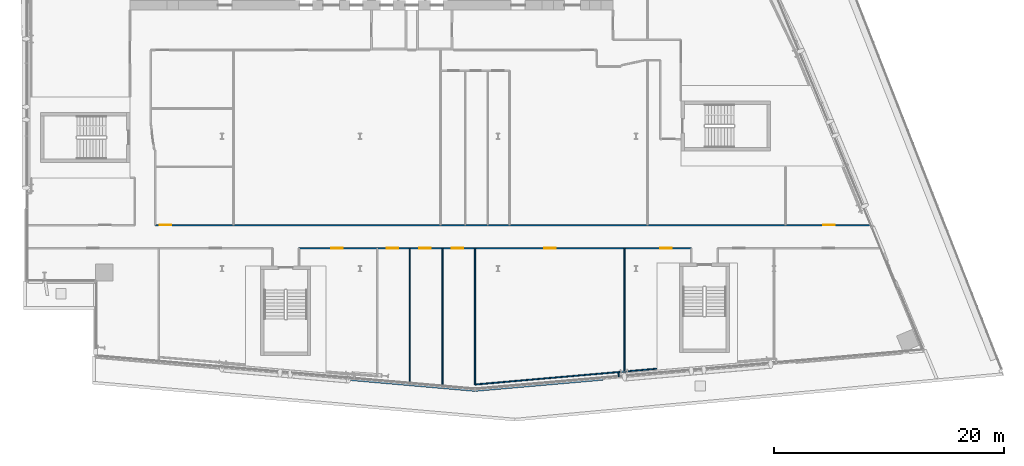
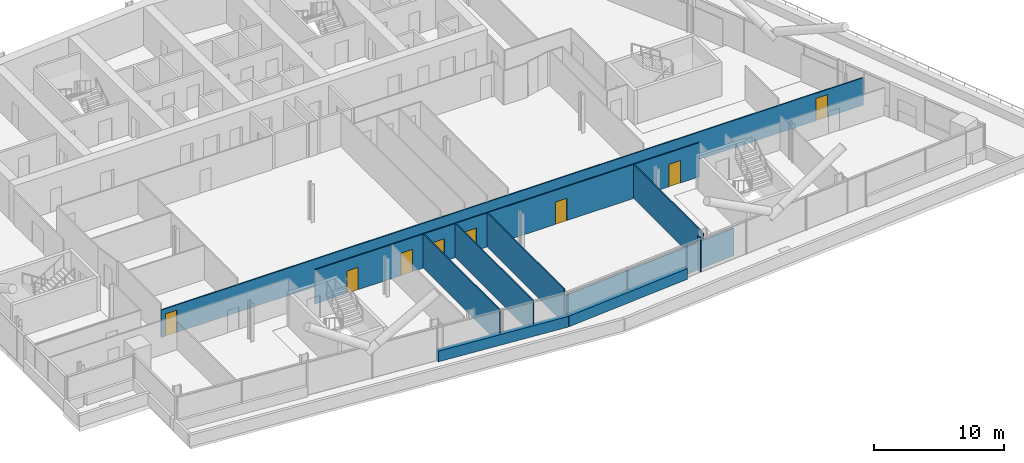
# One storey, part 17 of 30: 10 walls, 8 doors, 8 openings.
"""IFC4 building model written with IfcOpenShell, lengths in metres."""

from ifc_helpers import new_model, si_unit, direction, frame, frame_2d, origin, place, context, subcontext, project, spatial, rectangle, extrude, material, layer, layer_set, type_object, element, fill, save


model = new_model("IFC4")

# Units and contexts
model_context = context("Model", 3, precision=1e-05, world=origin(), true_north=direction((0.0, 1.0)))
body_context = subcontext(model_context, "Body", "Model", "MODEL_VIEW")
ifc_project = project(units=[si_unit("LENGTHUNIT", "METRE"), si_unit("AREAUNIT", "SQUARE_METRE"), si_unit("VOLUMEUNIT", "CUBIC_METRE"), si_unit("PLANEANGLEUNIT", "RADIAN"), si_unit("MASSUNIT", "GRAM", prefix="KILO")], contexts=[model_context])

# Site, building, storey
site_placement = place(None, origin())
site = spatial("IfcSite", under=ifc_project, at=site_placement, CompositionType="ELEMENT")
building_placement = place(site_placement, origin())
building = spatial("IfcBuilding", under=site, at=building_placement, Name="Wharfspan Tower", CompositionType="ELEMENT")
storey_placement = place(building_placement, frame((0.0, 0.0, 151.899902)))
storey = spatial("IfcBuildingStorey", under=building, at=storey_placement, Name="L36", CompositionType="ELEMENT", Elevation=151.899902)

# Wall, openings, doors
ifc_material_1 = material(Name="Gypsum board on steel studs", Category="steel")
ifc_layer_1 = layer(ifc_material_1, 0.100098)
ifc_layer_set_1 = layer_set([ifc_layer_1], Name="Gypsum board on steel studs")
wall_type_1 = type_object("IfcWallType", Name="Compartment wall 100 EI 60", PredefinedType="PARTITIONING", material=ifc_layer_set_1)
wall_1_placement = place(storey_placement, frame((18.199951, 15.27002, 0.0), z_axis=(0.0, 0.0, 1.0), x_axis=(1.0, 0.0, 0.0)))
wall_1 = element("IfcWall", 1, at=wall_1_placement, inside=storey, type_object=wall_type_1, Name="Partition L36.w015", PredefinedType="PARTITIONING", context=body_context, shape_type="SweptSolid", body=[
    extrude(rectangle(XDim=62.290771, YDim=0.100098, at=frame_2d((31.145508, 0.0))), origin(), (0.0, 0.0, 1.0), 2.580078),
])
opening_1_placement = place(wall_1_placement, frame((0.379883, 0.0, 0.0)))
opening_1 = element("IfcOpeningElement", 2, at=opening_1_placement, cuts=wall_1, Name="Opening C1-12", PredefinedType="OPENING", context=body_context, shape_type="SweptSolid", body=[
    extrude(rectangle(XDim=1.0, YDim=2.100098, at=frame_2d((0.5, 1.050049))), frame((0.0, 0.060059, 0.0), z_axis=(0.0, -1.0, 0.0), x_axis=(1.0, 0.0, 0.0)), (0.0, 0.0, 1.0), 0.120117),
])
opening_2_placement = place(wall_1_placement, frame((58.101807, 0.0, 0.0)))
opening_2 = element("IfcOpeningElement", 3, at=opening_2_placement, cuts=wall_1, Name="Opening C1-13", PredefinedType="OPENING", context=body_context, shape_type="SweptSolid", body=[
    extrude(rectangle(XDim=1.0, YDim=2.100098, at=frame_2d((0.5, 1.050049))), frame((0.0, 0.060059, 0.0), z_axis=(0.0, -1.0, 0.0), x_axis=(1.0, 0.0, 0.0)), (0.0, 0.0, 1.0), 0.120117),
])
ifc_material_2 = material(Name="Fire-rated timber door leaf in steel frame", Category="steel")
door_type_1 = type_object("IfcDoorType", Name="Door 1000 FD30S Left", OperationType="SINGLE_SWING_LEFT", PredefinedType="DOOR", material=ifc_material_2)
door_1_placement = place(opening_1_placement, origin())
door_1 = element("IfcDoor", 4, at=door_1_placement, inside=storey, type_object=door_type_1, Name="Door C1-12", OperationType="SINGLE_SWING_LEFT", OverallHeight=2.100098, OverallWidth=1.0, PredefinedType="DOOR", context=body_context, shape_type="SweptSolid", body=[
    extrude(rectangle(XDim=1.0, YDim=2.100098, at=frame_2d((0.5, 1.050049))), frame((0.0, 0.024902, 0.0), z_axis=(0.0, -1.0, 0.0), x_axis=(1.0, 0.0, 0.0)), (0.0, 0.0, 1.0), 0.050049),
])
fill(opening_1, door_1)
door_type_2 = type_object("IfcDoorType", Name="Door 1000 FD30S Right", OperationType="SINGLE_SWING_RIGHT", PredefinedType="DOOR", material=ifc_material_2)
door_2_placement = place(opening_2_placement, origin())
door_2 = element("IfcDoor", 5, at=door_2_placement, inside=storey, type_object=door_type_2, Name="Door C1-13", OperationType="SINGLE_SWING_RIGHT", OverallHeight=2.100098, OverallWidth=1.0, PredefinedType="DOOR", context=body_context, shape_type="SweptSolid", body=[
    extrude(rectangle(XDim=1.0, YDim=2.100098, at=frame_2d((0.5, 1.050049))), frame((0.0, 0.024902, 0.0), z_axis=(0.0, -1.0, 0.0), x_axis=(1.0, 0.0, 0.0)), (0.0, 0.0, 1.0), 0.050049),
])
fill(opening_2, door_2)

wall_2_placement = place(storey_placement, frame((30.689941, 13.264893, 0.0), z_axis=(0.0, 0.0, 1.0), x_axis=(1.0, 0.0, 0.0)))
wall_2 = element("IfcWall", 6, at=wall_2_placement, inside=storey, type_object=wall_type_1, Name="Partition L36.w023", PredefinedType="PARTITIONING", context=body_context, shape_type="SweptSolid", body=[
    extrude(rectangle(XDim=34.120117, YDim=0.100098, at=frame_2d((17.060059, 0.0))), origin(), (0.0, 0.0, 1.0), 3.200195),
])
opening_3_placement = place(wall_2_placement, frame((2.824951, 0.0, 0.0)))
opening_3 = element("IfcOpeningElement", 7, at=opening_3_placement, cuts=wall_2, Name="Opening C1-03", PredefinedType="OPENING", context=body_context, shape_type="SweptSolid", body=[
    extrude(rectangle(XDim=1.0, YDim=2.100098, at=frame_2d((0.5, 1.050049))), frame((0.0, 0.060059, 0.0), z_axis=(0.0, -1.0, 0.0), x_axis=(1.0, 0.0, 0.0)), (0.0, 0.0, 1.0), 0.120117),
])
opening_4_placement = place(wall_2_placement, frame((7.63501, 0.0, 0.0)))
opening_4 = element("IfcOpeningElement", 8, at=opening_4_placement, cuts=wall_2, Name="Opening C1-04", PredefinedType="OPENING", context=body_context, shape_type="SweptSolid", body=[
    extrude(rectangle(XDim=1.0, YDim=2.100098, at=frame_2d((0.5, 1.050049))), frame((0.0, 0.060059, 0.0), z_axis=(0.0, -1.0, 0.0), x_axis=(1.0, 0.0, 0.0)), (0.0, 0.0, 1.0), 0.120117),
])
opening_5_placement = place(wall_2_placement, frame((10.469971, 0.0, 0.0)))
opening_5 = element("IfcOpeningElement", 9, at=opening_5_placement, cuts=wall_2, Name="Opening C1-05", PredefinedType="OPENING", context=body_context, shape_type="SweptSolid", body=[
    extrude(rectangle(XDim=1.0, YDim=2.100098, at=frame_2d((0.5, 1.050049))), frame((0.0, 0.060059, 0.0), z_axis=(0.0, -1.0, 0.0), x_axis=(1.0, 0.0, 0.0)), (0.0, 0.0, 1.0), 0.120117),
])
opening_6_placement = place(wall_2_placement, frame((13.304932, 0.0, 0.0)))
opening_6 = element("IfcOpeningElement", 10, at=opening_6_placement, cuts=wall_2, Name="Opening C1-06", PredefinedType="OPENING", context=body_context, shape_type="SweptSolid", body=[
    extrude(rectangle(XDim=1.0, YDim=2.100098, at=frame_2d((0.5, 1.050049))), frame((0.0, 0.060059, 0.0), z_axis=(0.0, -1.0, 0.0), x_axis=(1.0, 0.0, 0.0)), (0.0, 0.0, 1.0), 0.120117),
])
opening_7_placement = place(wall_2_placement, frame((21.334961, 0.0, 0.0)))
opening_7 = element("IfcOpeningElement", 11, at=opening_7_placement, cuts=wall_2, Name="Opening C1-07", PredefinedType="OPENING", context=body_context, shape_type="SweptSolid", body=[
    extrude(rectangle(XDim=1.0, YDim=2.100098, at=frame_2d((0.5, 1.050049))), frame((0.0, 0.060059, 0.0), z_axis=(0.0, -1.0, 0.0), x_axis=(1.0, 0.0, 0.0)), (0.0, 0.0, 1.0), 0.120117),
])
opening_8_placement = place(wall_2_placement, frame((31.409912, 0.0, 0.0)))
opening_8 = element("IfcOpeningElement", 12, at=opening_8_placement, cuts=wall_2, Name="Opening C1-08", PredefinedType="OPENING", context=body_context, shape_type="SweptSolid", body=[
    extrude(rectangle(XDim=1.0, YDim=2.100098, at=frame_2d((0.5, 1.050049))), frame((0.0, 0.060059, 0.0), z_axis=(0.0, -1.0, 0.0), x_axis=(1.0, 0.0, 0.0)), (0.0, 0.0, 1.0), 0.120117),
])
door_3_placement = place(opening_3_placement, origin())
door_3 = element("IfcDoor", 13, at=door_3_placement, inside=storey, type_object=door_type_1, Name="Door C1-03", OperationType="SINGLE_SWING_LEFT", OverallHeight=2.100098, OverallWidth=1.0, PredefinedType="DOOR", context=body_context, shape_type="SweptSolid", body=[
    extrude(rectangle(XDim=1.0, YDim=2.100098, at=frame_2d((0.5, 1.050049))), frame((0.0, 0.024902, 0.0), z_axis=(0.0, -1.0, 0.0), x_axis=(1.0, 0.0, 0.0)), (0.0, 0.0, 1.0), 0.050049),
])
fill(opening_3, door_3)
door_4_placement = place(opening_4_placement, origin())
door_4 = element("IfcDoor", 14, at=door_4_placement, inside=storey, type_object=door_type_1, Name="Door C1-04", OperationType="SINGLE_SWING_LEFT", OverallHeight=2.100098, OverallWidth=1.0, PredefinedType="DOOR", context=body_context, shape_type="SweptSolid", body=[
    extrude(rectangle(XDim=1.0, YDim=2.100098, at=frame_2d((0.5, 1.050049))), frame((0.0, 0.024902, 0.0), z_axis=(0.0, -1.0, 0.0), x_axis=(1.0, 0.0, 0.0)), (0.0, 0.0, 1.0), 0.050049),
])
fill(opening_4, door_4)
door_5_placement = place(opening_5_placement, origin())
door_5 = element("IfcDoor", 15, at=door_5_placement, inside=storey, type_object=door_type_1, Name="Door C1-05", OperationType="SINGLE_SWING_LEFT", OverallHeight=2.100098, OverallWidth=1.0, PredefinedType="DOOR", context=body_context, shape_type="SweptSolid", body=[
    extrude(rectangle(XDim=1.0, YDim=2.100098, at=frame_2d((0.5, 1.050049))), frame((0.0, 0.024902, 0.0), z_axis=(0.0, -1.0, 0.0), x_axis=(1.0, 0.0, 0.0)), (0.0, 0.0, 1.0), 0.050049),
])
fill(opening_5, door_5)
door_6_placement = place(opening_6_placement, origin())
door_6 = element("IfcDoor", 16, at=door_6_placement, inside=storey, type_object=door_type_1, Name="Door C1-06", OperationType="SINGLE_SWING_LEFT", OverallHeight=2.100098, OverallWidth=1.0, PredefinedType="DOOR", context=body_context, shape_type="SweptSolid", body=[
    extrude(rectangle(XDim=1.0, YDim=2.100098, at=frame_2d((0.5, 1.050049))), frame((0.0, 0.024902, 0.0), z_axis=(0.0, -1.0, 0.0), x_axis=(1.0, 0.0, 0.0)), (0.0, 0.0, 1.0), 0.050049),
])
fill(opening_6, door_6)
door_7_placement = place(opening_7_placement, origin())
door_7 = element("IfcDoor", 17, at=door_7_placement, inside=storey, type_object=door_type_2, Name="Door C1-07", OperationType="SINGLE_SWING_RIGHT", OverallHeight=2.100098, OverallWidth=1.0, PredefinedType="DOOR", context=body_context, shape_type="SweptSolid", body=[
    extrude(rectangle(XDim=1.0, YDim=2.100098, at=frame_2d((0.5, 1.050049))), frame((0.0, 0.024902, 0.0), z_axis=(0.0, -1.0, 0.0), x_axis=(1.0, 0.0, 0.0)), (0.0, 0.0, 1.0), 0.050049),
])
fill(opening_7, door_7)
door_8_placement = place(opening_8_placement, origin())
door_8 = element("IfcDoor", 18, at=door_8_placement, inside=storey, type_object=door_type_2, Name="Door C1-08", OperationType="SINGLE_SWING_RIGHT", OverallHeight=2.100098, OverallWidth=1.0, PredefinedType="DOOR", context=body_context, shape_type="SweptSolid", body=[
    extrude(rectangle(XDim=1.0, YDim=2.100098, at=frame_2d((0.5, 1.050049))), frame((0.0, 0.024902, 0.0), z_axis=(0.0, -1.0, 0.0), x_axis=(1.0, 0.0, 0.0)), (0.0, 0.0, 1.0), 0.050049),
])
fill(opening_8, door_8)

# Walls
wall_3_placement = place(storey_placement, frame((40.334961, 1.503662, 0.0), z_axis=(0.0, 0.0, 1.0), x_axis=(0.0, 1.0, 0.0)))
element("IfcWall", 19, at=wall_3_placement, inside=storey, type_object=wall_type_1, Name="Partition L36.w028", PredefinedType="PARTITIONING", context=body_context, shape_type="SweptSolid", body=[
    extrude(rectangle(XDim=11.76123, YDim=0.100098, at=frame_2d((5.880615, 0.0))), origin(), (0.0, 0.0, 1.0), 3.200195),
])
wall_4_placement = place(storey_placement, frame((43.169922, 1.255615, 0.0), z_axis=(0.0, 0.0, 1.0), x_axis=(0.0, 1.0, 0.0)))
element("IfcWall", 20, at=wall_4_placement, inside=storey, type_object=wall_type_1, Name="Partition L36.w031", PredefinedType="PARTITIONING", context=body_context, shape_type="SweptSolid", body=[
    extrude(rectangle(XDim=12.009277, YDim=0.100098, at=frame_2d((6.004639, 0.0))), origin(), (0.0, 0.0, 1.0), 3.200195),
])
wall_5_placement = place(storey_placement, frame((46.0, 1.415039, 0.0), z_axis=(0.0, 0.0, 1.0), x_axis=(0.0, 1.0, 0.0)))
element("IfcWall", 21, at=wall_5_placement, inside=storey, type_object=wall_type_1, Name="Partition L36.w034", PredefinedType="PARTITIONING", context=body_context, shape_type="SweptSolid", body=[
    extrude(rectangle(XDim=11.849854, YDim=0.100098, at=frame_2d((5.924805, 0.0))), origin(), (0.0, 0.0, 1.0), 3.200195),
])
wall_6_placement = place(storey_placement, frame((59.0, 2.544922, 0.0), z_axis=(0.0, 0.0, 1.0), x_axis=(0.0, 1.0, 0.0)))
element("IfcWall", 22, at=wall_6_placement, inside=storey, type_object=wall_type_1, Name="Partition L36.w044", PredefinedType="PARTITIONING", context=body_context, shape_type="SweptSolid", body=[
    extrude(rectangle(XDim=10.719971, YDim=0.100098, at=frame_2d((5.359863, 0.0))), origin(), (0.0, 0.0, 1.0), 3.200195),
])
ifc_layer_2 = layer(ifc_material_1, 0.100098)
ifc_layer_set_2 = layer_set([ifc_layer_2], Name="Gypsum board on steel studs")
wall_type_2 = type_object("IfcWallType", Name="Partition 100", PredefinedType="PARTITIONING", material=ifc_layer_set_2)
wall_7_placement = place(storey_placement, frame((46.0, 1.415039, 0.0), z_axis=(0.0, 0.0, 1.0), x_axis=(0.996241, 0.086637, 0.0)))
element("IfcWall", 23, at=wall_7_placement, inside=storey, type_object=wall_type_2, Name="Partition L36.w033", PredefinedType="PARTITIONING", context=body_context, shape_type="SweptSolid", body=[
    extrude(rectangle(XDim=15.851074, YDim=0.100098, at=frame_2d((7.925537, 0.0))), origin(), (0.0, 0.0, 1.0), 2.580078),
])
wall_8_placement = place(storey_placement, frame((58.498291, 2.101562, 0.0), z_axis=(0.0, 0.0, 1.0), x_axis=(-0.083045, 0.996542, 0.0)))
element("IfcWall", 24, at=wall_8_placement, inside=storey, type_object=wall_type_2, Name="Partition L36.w041", PredefinedType="PARTITIONING", context=body_context, shape_type="SweptSolid", body=[
    extrude(rectangle(XDim=0.399902, YDim=0.100098, at=frame_2d((0.199951, 0.0))), origin(), (0.0, 0.0, 1.0), 3.200195),
])
ifc_material_3 = material(Name="Concrete C40/50", Category="concrete")
ifc_layer_3 = layer(ifc_material_3, 0.350098)
ifc_layer_set_3 = layer_set([ifc_layer_3], Name="Concrete C40/50")
wall_type_3 = type_object("IfcWallType", Name="SPANDREL EXPOSED CONCRETE 350", PredefinedType="SOLIDWALL", material=ifc_layer_set_3)
wall_9_placement = place(storey_placement, frame((35.029541, 1.942627, 0.0), z_axis=(0.0, 0.0, 1.0), x_axis=(0.996199, -0.08714, 0.0)))
element("IfcWall", 25, at=wall_9_placement, inside=storey, type_object=wall_type_3, Name="Spandrel upstand L36 S1 2", PredefinedType="SOLIDWALL", context=body_context, shape_type="SweptSolid", body=[
    extrude(rectangle(XDim=11.027588, YDim=0.350098, at=frame_2d((5.513672, 0.0))), origin(), (0.0, 0.0, 1.0), 1.0),
])
wall_10_placement = place(storey_placement, frame((46.04541, 0.986816, 0.0), z_axis=(0.0, 0.0, 1.0), x_axis=(0.996193, 0.087171, 0.0)))
element("IfcWall", 26, at=wall_10_placement, inside=storey, type_object=wall_type_3, Name="Spandrel upstand L36 S2 1", PredefinedType="SOLIDWALL", context=body_context, shape_type="SweptSolid", body=[
    extrude(rectangle(XDim=11.110352, YDim=0.350098, at=frame_2d((5.555176, 0.0))), origin(), (0.0, 0.0, 1.0), 1.0),
])

save(model, "model.ifc")
